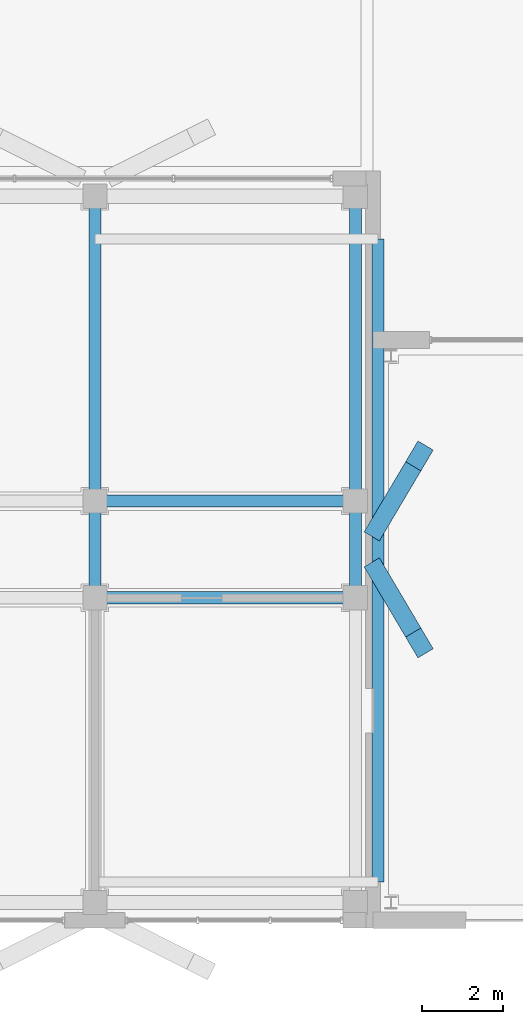
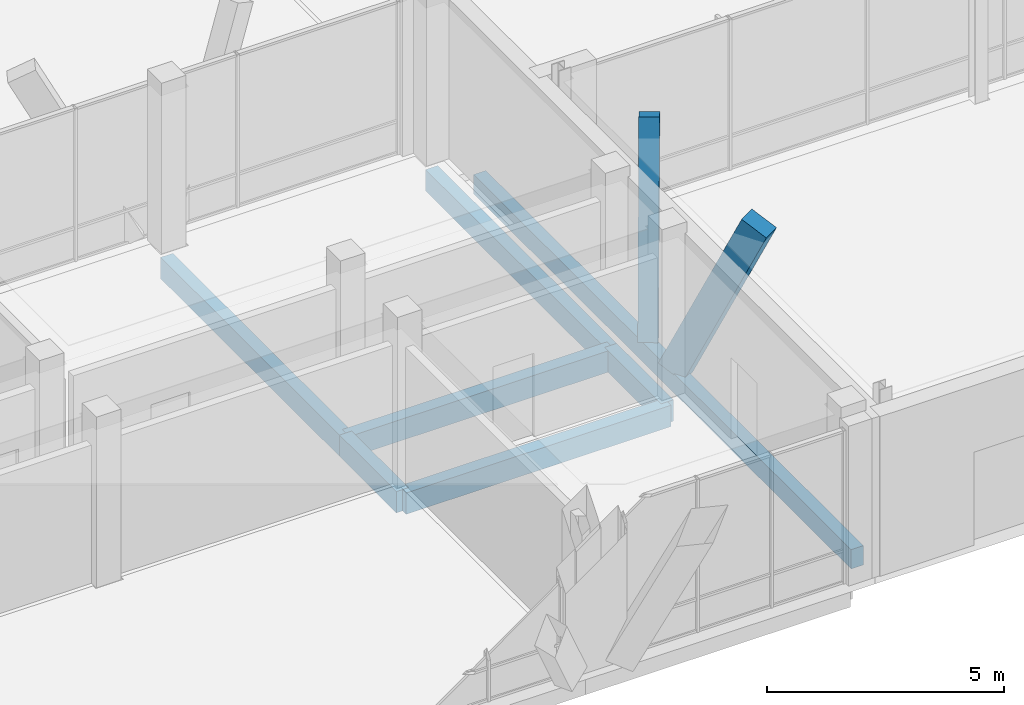
# One storey, part 40 of 233: 7 beams, 2 members.
"""IFC4 building model written with IfcOpenShell, lengths in metres."""

from ifc_helpers import new_model, si_unit, direction, frame, origin, origin_2d, place, context, subcontext, project, spatial, rectangle, extrude, material, material_profile, profile_set, type_object, element, save


model = new_model("IFC4")

# Units and contexts
model_context = context("Model", 3, precision=1e-05, world=origin(), true_north=direction((0.0, 1.0)))
body_context = subcontext(model_context, "Body", "Model", "MODEL_VIEW")
ifc_project = project(units=[si_unit("LENGTHUNIT", "METRE"), si_unit("AREAUNIT", "SQUARE_METRE"), si_unit("VOLUMEUNIT", "CUBIC_METRE"), si_unit("PLANEANGLEUNIT", "RADIAN"), si_unit("MASSUNIT", "GRAM", prefix="KILO")], contexts=[model_context])

# Site, building, storey
site_placement = place(None, origin())
site = spatial("IfcSite", under=ifc_project, at=site_placement, CompositionType="ELEMENT")
building_placement = place(site_placement, origin())
building = spatial("IfcBuilding", under=site, at=building_placement, Name="Zavelmont Quarter", CompositionType="ELEMENT")
storey_placement = place(building_placement, origin())
storey = spatial("IfcBuildingStorey", under=building, at=storey_placement, Name="L00", CompositionType="ELEMENT", Elevation=0.0)

# Beams
ifc_material_1 = material(Name="Concrete C35/45", Category="concrete")
ifc_material_profile_1 = material_profile(ifc_material_1, rectangle(XDim=0.300048828125, YDim=0.550048828125, at=origin_2d()), Name="RC300X550")
ifc_profile_set_1 = profile_set([ifc_material_profile_1], Name="Concrete C35/45")
beam_type_1 = type_object("IfcBeamType", Name="BM02", PredefinedType="SPANDREL", material=ifc_profile_set_1)
for number, where, z_axis, x_axis, name in (
    (1, (48.300048828125, 8.0, -0.594970703125), (1.0, 0.0, 0.0), (0.0, 1.0, 0.0), "L00 beam BM02 8/B to 9/B"),
    (2, (48.300048828125, 10.39990234375, -0.594970703125), (1.0, 0.0, 0.0), (0.0, 1.0, 0.0), "L00 beam BM02 8/C to 9/C"),
):
    element("IfcBeam", number, at=place(storey_placement, frame(where, z_axis=z_axis, x_axis=x_axis)), inside=storey, type_object=beam_type_1, Name=name, PredefinedType="SPANDREL", context=body_context, shape_type="SweptSolid", body=[
        extrude(rectangle(XDim=0.300048828125, YDim=0.550048828125, at=origin_2d()), origin(), (0.0, 0.0, 1.0), 6.4599609375),
    ])
beam_1_placement = place(storey_placement, frame((48.300048828125, 8.0, -0.594970703125), z_axis=(0.0, 1.0, 0.0), x_axis=(-1.0, 0.0, 0.0)))
element("IfcBeam", 3, at=beam_1_placement, inside=storey, type_object=beam_type_1, Name="L00 beam BM02 8/B to 8/C", PredefinedType="SPANDREL", context=body_context, shape_type="SweptSolid", body=[
    extrude(rectangle(XDim=0.300048828125, YDim=0.550048828125, at=origin_2d()), origin(), (0.0, 0.0, 1.0), 2.39990234375),
])
beam_2_placement = place(storey_placement, frame((48.300048828125, 10.39990234375, -0.594970703125), z_axis=(0.0, 1.0, 0.0), x_axis=(-1.0, 0.0, 0.0)))
element("IfcBeam", 4, at=beam_2_placement, inside=storey, type_object=beam_type_1, Name="L00 beam BM02 8/C to 8/D", PredefinedType="SPANDREL", context=body_context, shape_type="SweptSolid", body=[
    extrude(rectangle(XDim=0.300048828125, YDim=0.550048828125, at=origin_2d()), origin(), (0.0, 0.0, 1.0), 7.56005859375),
])
beam_3_placement = place(storey_placement, frame((54.760009765625, 8.0, -0.594970703125), z_axis=(0.0, 1.0, 0.0), x_axis=(-1.0, 0.0, 0.0)))
element("IfcBeam", 5, at=beam_3_placement, inside=storey, type_object=beam_type_1, Name="L00 beam BM02 9/B to 9/C", PredefinedType="SPANDREL", context=body_context, shape_type="SweptSolid", body=[
    extrude(rectangle(XDim=0.300048828125, YDim=0.550048828125, at=origin_2d()), origin(), (0.0, 0.0, 1.0), 2.39990234375),
])
beam_4_placement = place(storey_placement, frame((54.760009765625, 10.39990234375, -0.594970703125), z_axis=(0.0, 1.0, 0.0), x_axis=(-1.0, 0.0, 0.0)))
element("IfcBeam", 6, at=beam_4_placement, inside=storey, type_object=beam_type_1, Name="L00 beam BM02 9/C to 9/D", PredefinedType="SPANDREL", context=body_context, shape_type="SweptSolid", body=[
    extrude(rectangle(XDim=0.300048828125, YDim=0.550048828125, at=origin_2d()), origin(), (0.0, 0.0, 1.0), 7.56005859375),
])
ifc_material_profile_2 = material_profile(ifc_material_1, rectangle(XDim=0.300048828125, YDim=0.5, at=origin_2d()), Name="RC300X500")
ifc_profile_set_2 = profile_set([ifc_material_profile_2], Name="Concrete C35/45")
beam_type_2 = type_object("IfcBeamType", Name="BM03", PredefinedType="BEAM", material=ifc_profile_set_2)
beam_5_placement = place(storey_placement, frame((55.320068359375, 0.949951171875, -0.25), z_axis=(0.0, 1.0, 0.0), x_axis=(-1.0, 0.0, 0.0)))
element("IfcBeam", 7, at=beam_5_placement, inside=storey, type_object=beam_type_2, Name="L00 beam BM03 9/A to 9/D", PredefinedType="BEAM", context=body_context, shape_type="SweptSolid", body=[
    extrude(rectangle(XDim=0.300048828125, YDim=0.5, at=origin_2d()), origin(), (0.0, 0.0, 1.0), 15.949951171875),
])

# Members
ifc_material_2 = material(Name="White architectural precast concrete C40/50", Category="concrete")
ifc_material_profile_3 = material_profile(ifc_material_2, rectangle(XDim=0.43994140625, YDim=0.659912109375, at=origin_2d()), Name="PCR320X480")
ifc_profile_set_3 = profile_set([ifc_material_profile_3], Name="White architectural precast concrete C40/50")
member_type = type_object("IfcMemberType", Name="VR01M", PredefinedType="CHORD", material=ifc_profile_set_3)
for number, where, z_axis, x_axis, name in (
    (8, (55.320068359375, 8.6201171875, 0.0), (0.212727364322, -0.359201171706, 0.908692239822), (0.860430796075, 0.509567311713, 0.0), "L00 member VR01M 9/B to 9/B"),
    (9, (55.320068359375, 9.780029296875, 0.0), (0.212727364322, 0.359201171706, 0.908692239822), (-0.860430796075, 0.509567311713, 0.0), "L00 member VR01M 9/C to 9/C"),
):
    element("IfcMember", number, at=place(storey_placement, frame(where, z_axis=z_axis, x_axis=x_axis)), inside=storey, type_object=member_type, Name=name, PredefinedType="CHORD", context=body_context, shape_type="SweptSolid", body=[
        extrude(rectangle(XDim=0.43994140625, YDim=0.659912109375, at=origin_2d()), origin(), (0.0, 0.0, 1.0), 4.842041015625),
    ])

save(model, "model.ifc")
